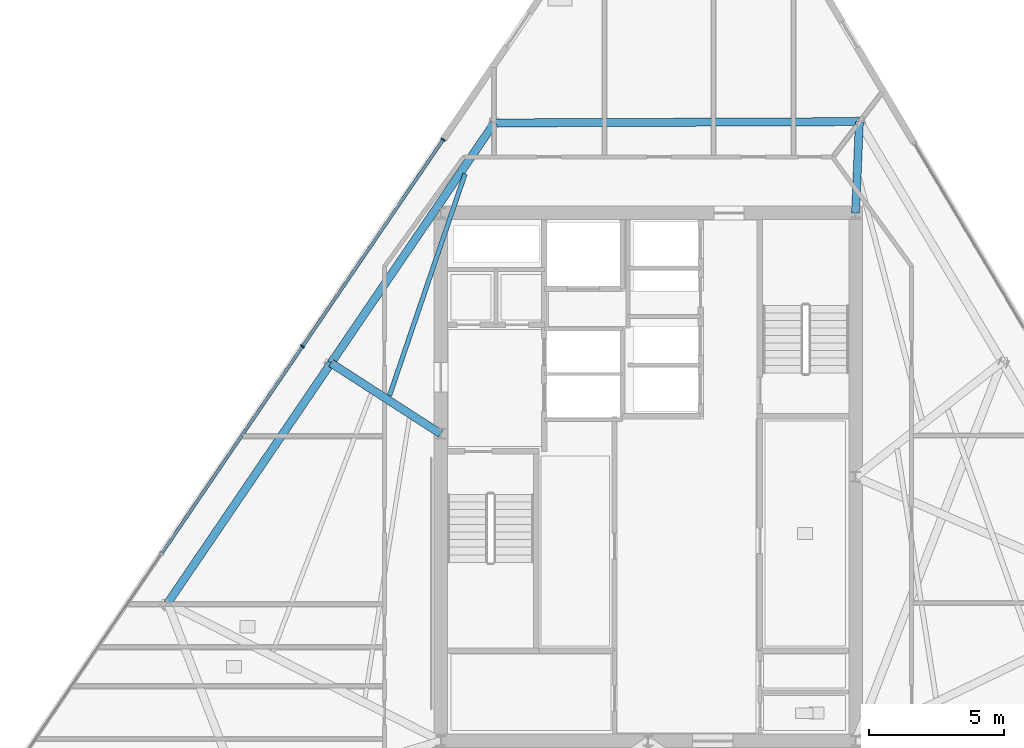
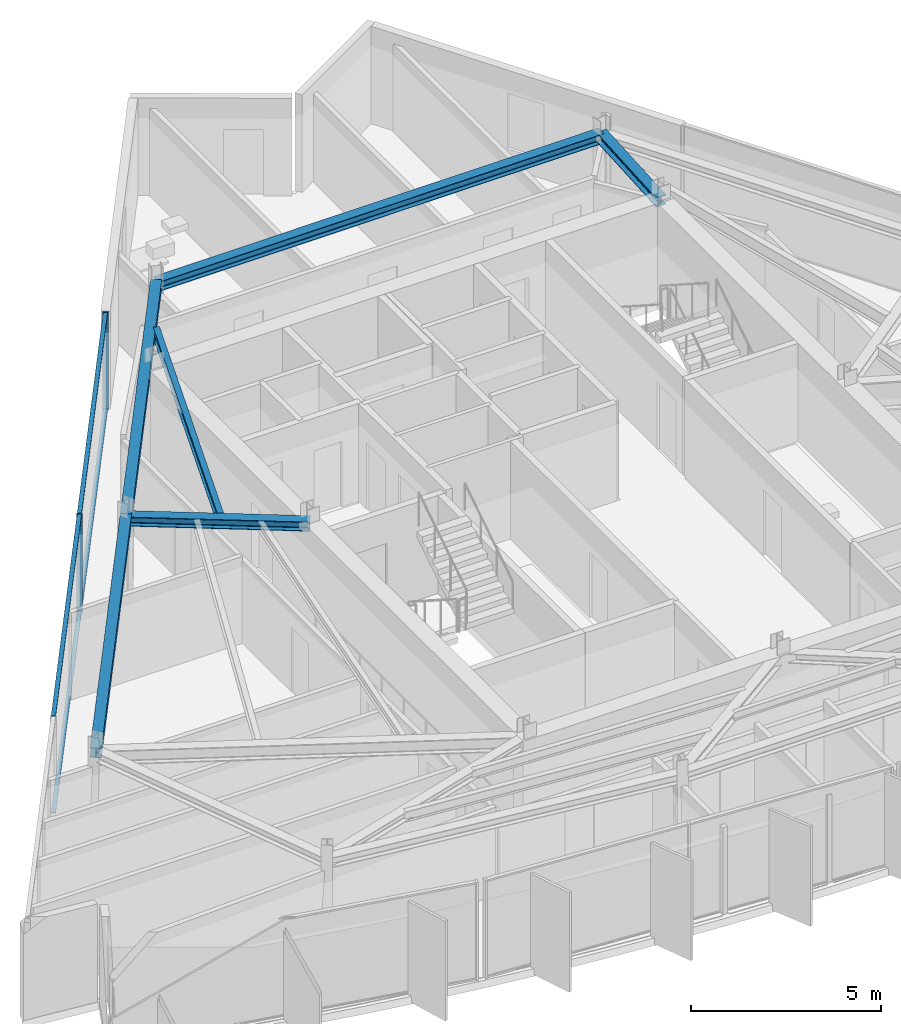
# One storey, part 4 of 13: 6 beams, 6 members, 1 element without a shape of its own.
"""IFC4 building model written with IfcOpenShell, lengths in metres."""

from ifc_helpers import new_model, si_unit, direction, frame, origin, origin_2d, place, context, subcontext, project, spatial, rectangle, i_section, extrude, material, material_profile, profile_set, type_object, element, aggregate, save


model = new_model("IFC4")

# Units and contexts
model_context = context("Model", 3, precision=1e-05, world=origin(), true_north=direction((0.0, 1.0)))
body_context = subcontext(model_context, "Body", "Model", "MODEL_VIEW")
ifc_project = project(units=[si_unit("LENGTHUNIT", "METRE"), si_unit("AREAUNIT", "SQUARE_METRE"), si_unit("VOLUMEUNIT", "CUBIC_METRE"), si_unit("PLANEANGLEUNIT", "RADIAN"), si_unit("MASSUNIT", "GRAM", prefix="KILO")], contexts=[model_context])

# Site, building, storey
site_placement = place(None, origin())
site = spatial("IfcSite", under=ifc_project, at=site_placement, CompositionType="ELEMENT")
building_placement = place(site_placement, origin())
building = spatial("IfcBuilding", under=site, at=building_placement, Name="Savorim Split Tower", CompositionType="ELEMENT")
storey_placement = place(building_placement, frame((0.0, 0.0, 290.39990234375)))
storey = spatial("IfcBuildingStorey", under=building, at=storey_placement, Name="L77", CompositionType="ELEMENT", Elevation=290.39990234375)

# Beams
ifc_material_1 = material(Name="Steel S355", Category="steel")
ifc_material_profile_1 = material_profile(ifc_material_1, i_section(OverallWidth=0.169921875, OverallDepth=0.360107421875, WebThickness=0.008056640625, FlangeThickness=0.0126953125, FilletRadius=0.01806640625, at=origin_2d()), Name="IPE 360")
ifc_profile_set_1 = profile_set([ifc_material_profile_1], Name="Steel S355")
beam_type_1 = type_object("IfcBeamType", Name="BM-JST-IPE360", PredefinedType="JOIST", material=ifc_profile_set_1)
beam_1_placement = place(storey_placement, frame((-6.79638671875, 11.65283203125, 2.97021484375), z_axis=(-0.322555730123, -0.9465504746, 0.0), x_axis=(0.9465504746, -0.322555730123, 0.0)))
element("IfcBeam", 1, at=beam_1_placement, inside=storey, type_object=beam_type_1, Name="L77 Secondary Floor Joist JS-09", PredefinedType="JOIST", context=body_context, shape_type="SweptSolid", body=[
    extrude(i_section(OverallWidth=0.169921875, OverallDepth=0.360107421875, WebThickness=0.008056640625, FlangeThickness=0.0126953125, FilletRadius=0.01806640625, at=origin_2d()), origin(), (0.0, 0.0, 1.0), 8.705810546875),
])
ifc_material_profile_2 = material_profile(ifc_material_1, i_section(OverallWidth=0.300048828125, OverallDepth=0.300048828125, WebThickness=0.010986328125, FlangeThickness=0.01904296875, FilletRadius=0.027099609375, at=origin_2d()), Name="HEB 300")
ifc_profile_set_2 = profile_set([ifc_material_profile_2], Name="Steel S355")
beam_type_2 = type_object("IfcBeamType", Name="BM-PRI-HEB300", PredefinedType="BEAM", material=ifc_profile_set_2)
beam_2_placement = place(storey_placement, frame((7.843017578125, 13.591064453125, 3.0), z_axis=(-0.042151129609, -0.999111246195, 0.0), x_axis=(0.999111246195, -0.042151129609, 0.0)))
element("IfcBeam", 2, at=beam_2_placement, inside=storey, type_object=beam_type_2, Name="L77 Primary Floor Girder RG-07", PredefinedType="BEAM", context=body_context, shape_type="SweptSolid", body=[
    extrude(i_section(OverallWidth=0.300048828125, OverallDepth=0.300048828125, WebThickness=0.010986328125, FlangeThickness=0.01904296875, FilletRadius=0.027099609375, at=origin_2d()), origin(), (0.0, 0.0, 1.0), 3.39404296875),
])
beam_3_placement = place(storey_placement, frame((-11.775390625, 4.626708984375, 3.0), z_axis=(0.840541482681, -0.541747188172, 0.0), x_axis=(0.541747188172, 0.840541482681, 0.0)))
element("IfcBeam", 3, at=beam_3_placement, inside=storey, type_object=beam_type_2, Name="L77 Primary Floor Girder RG-09", PredefinedType="BEAM", context=body_context, shape_type="SweptSolid", body=[
    extrude(i_section(OverallWidth=0.300048828125, OverallDepth=0.300048828125, WebThickness=0.010986328125, FlangeThickness=0.01904296875, FilletRadius=0.027099609375, at=origin_2d()), origin(), (0.0, 0.0, 1.0), 4.8486328125),
])
ifc_material_profile_3 = material_profile(ifc_material_1, i_section(OverallWidth=0.300048828125, OverallDepth=0.31005859375, WebThickness=0.009033203125, FlangeThickness=0.015380859375, FilletRadius=0.027099609375, at=origin_2d()), Name="HEA 320")
ifc_profile_set_3 = profile_set([ifc_material_profile_3], Name="Steel S355")
beam_type_3 = type_object("IfcBeamType", Name="BM-SPN-HEA320", PredefinedType="SPANDREL", material=ifc_profile_set_3)
beam_4_placement = place(storey_placement, frame((7.843017578125, 13.591064453125, 2.9951171875), z_axis=(-0.999993510358, -0.003602671436, 0.0), x_axis=(0.003602671436, -0.999993510358, 0.0)))
element("IfcBeam", 4, at=beam_4_placement, inside=storey, type_object=beam_type_3, Name="L77 Perimeter Spandrel Beam 7", PredefinedType="SPANDREL", context=body_context, shape_type="SweptSolid", body=[
    extrude(i_section(OverallWidth=0.300048828125, OverallDepth=0.31005859375, WebThickness=0.009033203125, FlangeThickness=0.015380859375, FilletRadius=0.027099609375, at=origin_2d()), origin(), (0.0, 0.0, 1.0), 13.55322265625),
])
for number, where, z_axis, x_axis, name in (
    (5, (-5.710205078125, 13.542236328125, 2.9951171875), (-0.56247659907, -0.826813204719, 0.0), (0.826813204719, -0.56247659907, 0.0), "L77 Perimeter Spandrel Beam 8"),
    (6, (-11.775390625, 4.626708984375, 2.9951171875), (-0.562461120761, -0.826823734319, 0.0), (0.826823734319, -0.562461120761, 0.0), "L77 Perimeter Spandrel Beam 9"),
):
    element("IfcBeam", number, at=place(storey_placement, frame(where, z_axis=z_axis, x_axis=x_axis)), inside=storey, type_object=beam_type_3, Name=name, PredefinedType="SPANDREL", context=body_context, shape_type="SweptSolid", body=[
        extrude(i_section(OverallWidth=0.300048828125, OverallDepth=0.31005859375, WebThickness=0.009033203125, FlangeThickness=0.015380859375, FilletRadius=0.027099609375, at=origin_2d()), origin(), (0.0, 0.0, 1.0), 10.782958984375),
    ])

# Curtain wall, members
ifc_material_2 = material(Name="Dark Ceramic-Fritted Insulated Glass", Category="glass")
curtain_wall_type = type_object("IfcCurtainWallType", Name="CW-TWR-FRIT-B", PredefinedType="NOTDEFINED", material=ifc_material_2)
curtain_wall_placement = place(storey_placement, origin())
curtain_wall = element("IfcCurtainWall", 7, at=curtain_wall_placement, inside=storey, type_object=curtain_wall_type, Name="L77 Curtain Wall CW-L77-WEST", PredefinedType="NOTDEFINED")
ifc_material_3 = material(Name="Charcoal Anodised Aluminium", Category="aluminium")
ifc_material_profile_4 = material_profile(ifc_material_3, rectangle(XDim=0.159912109375, YDim=0.06005859375, at=origin_2d()), Name="ALU-M 160x60")
ifc_profile_set_4 = profile_set([ifc_material_profile_4], Name="Charcoal Anodised Aluminium")
member_type_1 = type_object("IfcMemberType", Name="CWM-160x60", PredefinedType="MULLION", material=ifc_profile_set_4)
member_1_placement = place(storey_placement, frame((-7.610107421875, 12.919677734375, 0.0), z_axis=(0.0, 0.0, 1.0), x_axis=(0.826817636776, -0.562470084107, 0.0)))
member_1 = element("IfcMember", 8, at=member_1_placement, type_object=member_type_1, Name="CW-03 mullion 1", PredefinedType="MULLION", context=body_context, shape_type="SweptSolid", body=[
    extrude(rectangle(XDim=0.159912109375, YDim=0.06005859375, at=origin_2d()), origin(), (0.0, 0.0, 1.0), 3.150146484375),
])
member_2_placement = place(storey_placement, frame((-12.831298828125, 5.24462890625, 0.0), z_axis=(0.0, 0.0, 1.0), x_axis=(0.826817636776, -0.562470084107, 0.0)))
member_2 = element("IfcMember", 9, at=member_2_placement, type_object=member_type_1, Name="CW-03 mullion 2", PredefinedType="MULLION", context=body_context, shape_type="SweptSolid", body=[
    extrude(rectangle(XDim=0.159912109375, YDim=0.06005859375, at=origin_2d()), origin(), (0.0, 0.0, 1.0), 3.150146484375),
])
ifc_material_profile_5 = material_profile(ifc_material_3, rectangle(XDim=0.1201171875, YDim=0.050048828125, at=origin_2d()), Name="ALU-T 120x50")
ifc_profile_set_5 = profile_set([ifc_material_profile_5], Name="Charcoal Anodised Aluminium")
member_type_2 = type_object("IfcMemberType", Name="CWT-120x50", PredefinedType="USERDEFINED", material=ifc_profile_set_5)
member_3_placement = place(storey_placement, frame((-7.626953125, 12.894775390625, 0.025146484375), z_axis=(-0.562483063677, -0.826808806845, 0.0), x_axis=(0.826808806845, -0.562483063677, 0.0)))
member_3 = element("IfcMember", 10, at=member_3_placement, type_object=member_type_2, Name="CW-03 transom 1.1", ObjectType="TRANSOM", PredefinedType="USERDEFINED", context=body_context, shape_type="SweptSolid", body=[
    extrude(rectangle(XDim=0.1201171875, YDim=0.050048828125, at=origin_2d()), origin(), (0.0, 0.0, 1.0), 9.222412109375),
])
member_4_placement = place(storey_placement, frame((-7.626953125, 12.894775390625, 3.125), z_axis=(-0.562483063677, -0.826808806845, 0.0), x_axis=(0.826808806845, -0.562483063677, 0.0)))
member_4 = element("IfcMember", 11, at=member_4_placement, type_object=member_type_2, Name="CW-03 transom 1.2", ObjectType="TRANSOM", PredefinedType="USERDEFINED", context=body_context, shape_type="SweptSolid", body=[
    extrude(rectangle(XDim=0.1201171875, YDim=0.050048828125, at=origin_2d()), origin(), (0.0, 0.0, 1.0), 9.222412109375),
])
member_5_placement = place(storey_placement, frame((-12.84814453125, 5.219970703125, 0.025146484375), z_axis=(-0.562463735755, -0.826821955417, 0.0), x_axis=(0.826821955417, -0.562463735755, 0.0)))
member_5 = element("IfcMember", 12, at=member_5_placement, type_object=member_type_2, Name="CW-03 transom 2.1", ObjectType="TRANSOM", PredefinedType="USERDEFINED", context=body_context, shape_type="SweptSolid", body=[
    extrude(rectangle(XDim=0.1201171875, YDim=0.050048828125, at=origin_2d()), origin(), (0.0, 0.0, 1.0), 9.252685546875),
])
member_6_placement = place(storey_placement, frame((-12.84814453125, 5.219970703125, 3.125), z_axis=(-0.562463735755, -0.826821955417, 0.0), x_axis=(0.826821955417, -0.562463735755, 0.0)))
member_6 = element("IfcMember", 13, at=member_6_placement, type_object=member_type_2, Name="CW-03 transom 2.2", ObjectType="TRANSOM", PredefinedType="USERDEFINED", context=body_context, shape_type="SweptSolid", body=[
    extrude(rectangle(XDim=0.1201171875, YDim=0.050048828125, at=origin_2d()), origin(), (0.0, 0.0, 1.0), 9.252685546875),
])
aggregate(curtain_wall, [member_1, member_2, member_3, member_4, member_5, member_6])

save(model, "model.ifc")
